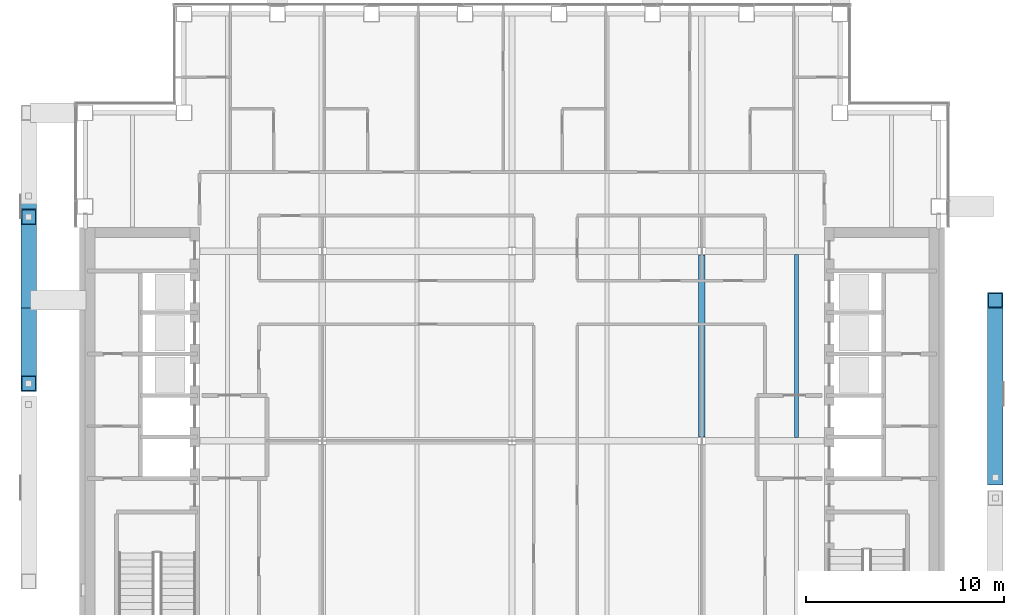
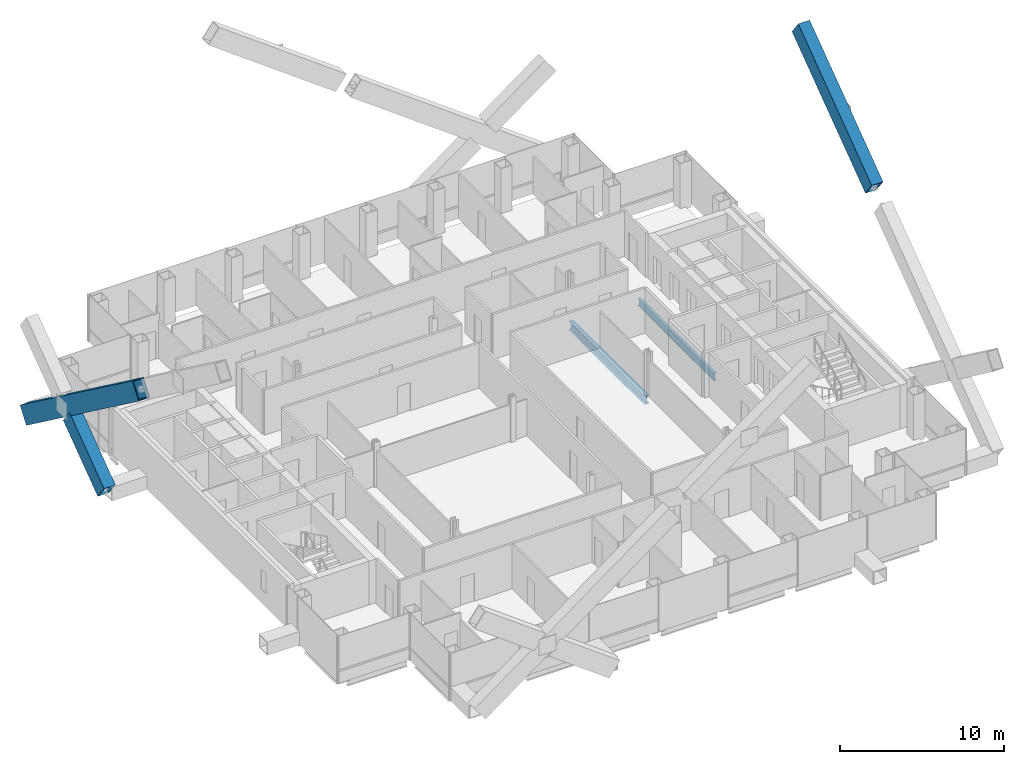
# One storey, part 7 of 18: 3 members, 2 beams.
"""IFC4 building model written with IfcOpenShell, lengths in metres."""

from ifc_helpers import new_model, si_unit, direction, frame, origin, origin_2d, place, context, subcontext, project, spatial, hollow_rectangle, i_section, extrude, material, material_profile, profile_set, type_object, element, save


model = new_model("IFC4")

# Units and contexts
model_context = context("Model", 3, precision=1e-05, world=origin(), true_north=direction((0.0, 1.0)))
body_context = subcontext(model_context, "Body", "Model", "MODEL_VIEW")
ifc_project = project(units=[si_unit("LENGTHUNIT", "METRE"), si_unit("AREAUNIT", "SQUARE_METRE"), si_unit("VOLUMEUNIT", "CUBIC_METRE"), si_unit("PLANEANGLEUNIT", "RADIAN"), si_unit("MASSUNIT", "GRAM", prefix="KILO")], contexts=[model_context])

# Site, building, storey
site_placement = place(None, origin())
site = spatial("IfcSite", under=ifc_project, at=site_placement, CompositionType="ELEMENT")
building_placement = place(site_placement, origin())
building = spatial("IfcBuilding", under=site, at=building_placement, Name="Cobrizo Arcos Hotel Tower", CompositionType="ELEMENT")
storey_placement = place(building_placement, frame((0.0, 0.0, 165.5)))
storey = spatial("IfcBuildingStorey", under=building, at=storey_placement, Name="L42", CompositionType="ELEMENT", Elevation=165.5)

# Members
ifc_material_1 = material(Name="Steel ASTM A572 Grade 50", Category="steel")
ifc_material_profile_1 = material_profile(ifc_material_1, hollow_rectangle(XDim=0.800048828125, YDim=1.300048828125, WallThickness=0.06005859375, at=origin_2d()), Name="BOX 800X1300X60")
ifc_profile_set_1 = profile_set([ifc_material_profile_1], Name="Steel ASTM A572 Grade 50")
member_type = type_object("IfcMemberType", Name="BOX 800X1300X60 perimeter brace", PredefinedType="BRACE", material=ifc_profile_set_1)
member_1_placement = place(storey_placement, frame((24.449951171875, -1.84814453125, 11.385986328125), z_axis=(0.0, 0.804620954099, 0.593788784186), x_axis=(-1.0, 0.0, 0.0)))
element("IfcMember", 1, at=member_1_placement, inside=storey, type_object=member_type, Name="Perimeter brace PBR3, zone Z3, east face, no. 10b", PredefinedType="BRACE", context=body_context, shape_type="SweptSolid", body=[
    extrude(hollow_rectangle(XDim=0.800048828125, YDim=1.300048828125, WallThickness=0.06005859375, at=origin_2d()), origin(), (0.0, 0.0, 1.0), 11.138671875),
])
member_2_placement = place(storey_placement, frame((-24.449951171875, 16.60009765625, 0.5), z_axis=(0.0, -0.804630166974, 0.593776299961), x_axis=(1.0, 0.0, 0.0)))
element("IfcMember", 2, at=member_2_placement, inside=storey, type_object=member_type, Name="Perimeter brace PBR3, zone Z3, west face, no. 10", PredefinedType="BRACE", context=body_context, shape_type="SweptSolid", body=[
    extrude(hollow_rectangle(XDim=0.800048828125, YDim=1.300048828125, WallThickness=0.06005859375, at=origin_2d()), origin(), (0.0, 0.0, 1.0), 17.033447265625),
])
member_3_placement = place(storey_placement, frame((-24.449951171875, 7.1142578125, 0.5), z_axis=(0.0, 0.804623858684, 0.593784848271), x_axis=(-1.0, 0.0, 0.0)))
element("IfcMember", 3, at=member_3_placement, inside=storey, type_object=member_type, Name="Perimeter brace PBR3, zone Z3, west face, no. 11", PredefinedType="BRACE", context=body_context, shape_type="SweptSolid", body=[
    extrude(hollow_rectangle(XDim=0.800048828125, YDim=1.300048828125, WallThickness=0.06005859375, at=origin_2d()), origin(), (0.0, 0.0, 1.0), 5.244384765625),
])

# Beams
ifc_material_2 = material(Name="Steel ASTM A992 Grade 50", Category="steel")
ifc_material_profile_2 = material_profile(ifc_material_2, i_section(OverallWidth=0.209228515625, OverallDepth=0.533447265625, WebThickness=0.01025390625, FlangeThickness=0.015625, at=origin_2d()), Name="W21X62")
ifc_profile_set_2 = profile_set([ifc_material_profile_2], Name="Steel ASTM A992 Grade 50")
beam_type_1 = type_object("IfcBeamType", Name="W21X62 joist", PredefinedType="JOIST", material=ifc_profile_set_2)
beam_1_placement = place(storey_placement, frame((14.39990234375, 0.163818359375, -0.416748046875), z_axis=(0.0, 1.0, 0.0), x_axis=(-1.0, 0.0, 0.0)))
element("IfcBeam", 4, at=beam_1_placement, inside=storey, type_object=beam_type_1, Name="Floor joist J1, L42, no. 017", PredefinedType="JOIST", context=body_context, shape_type="SweptSolid", body=[
    extrude(i_section(OverallWidth=0.209228515625, OverallDepth=0.533447265625, WebThickness=0.01025390625, FlangeThickness=0.015625, at=origin_2d()), origin(), (0.0, 0.0, 1.0), 9.272216796875),
])
ifc_material_profile_3 = material_profile(ifc_material_2, i_section(OverallWidth=0.32763671875, OverallDepth=0.622314453125, WebThickness=0.015380859375, FlangeThickness=0.0244140625, at=origin_2d()), Name="W24X131")
ifc_profile_set_3 = profile_set([ifc_material_profile_3], Name="Steel ASTM A992 Grade 50")
beam_type_2 = type_object("IfcBeamType", Name="W24X131 girder", PredefinedType="BEAM", material=ifc_profile_set_3)
beam_2_placement = place(storey_placement, frame((9.60009765625, 0.186767578125, -0.461181640625), z_axis=(0.0, 1.0, 0.0), x_axis=(-1.0, 0.0, 0.0)))
element("IfcBeam", 5, at=beam_2_placement, inside=storey, type_object=beam_type_2, Name="Floor girder G1, L42, no. 023", PredefinedType="BEAM", context=body_context, shape_type="SweptSolid", body=[
    extrude(i_section(OverallWidth=0.32763671875, OverallDepth=0.622314453125, WebThickness=0.015380859375, FlangeThickness=0.0244140625, at=origin_2d()), origin(), (0.0, 0.0, 1.0), 9.2265625),
])

save(model, "model.ifc")
